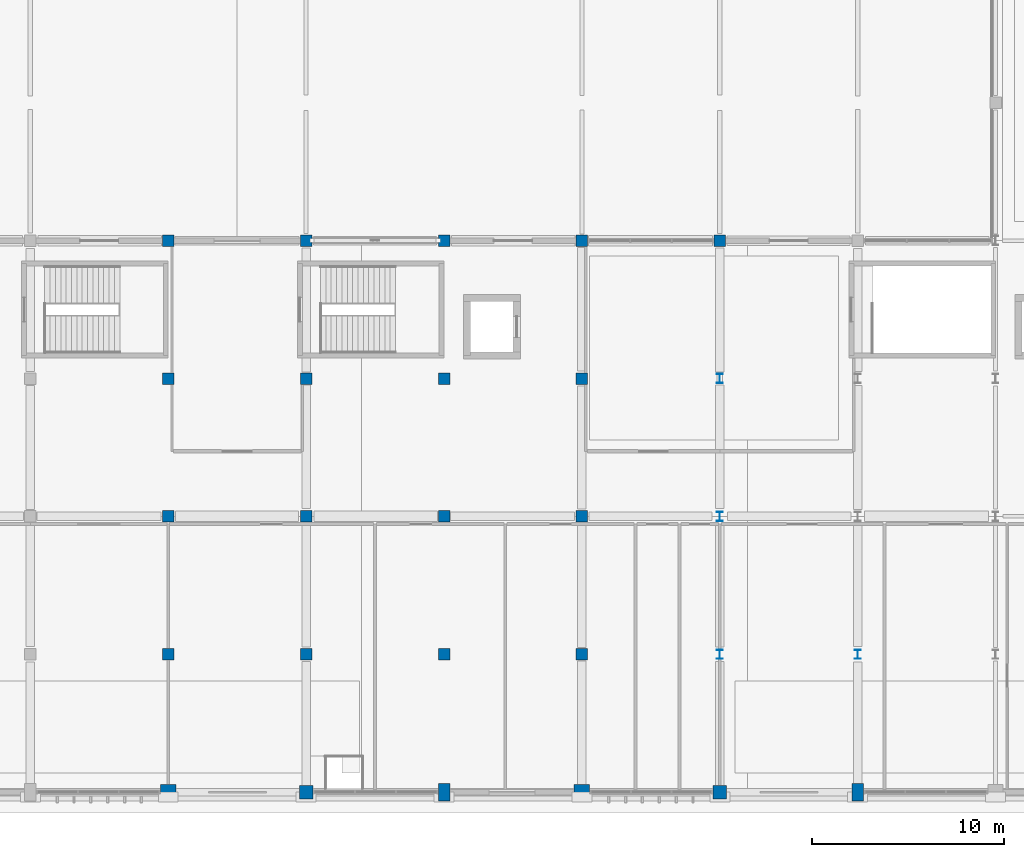
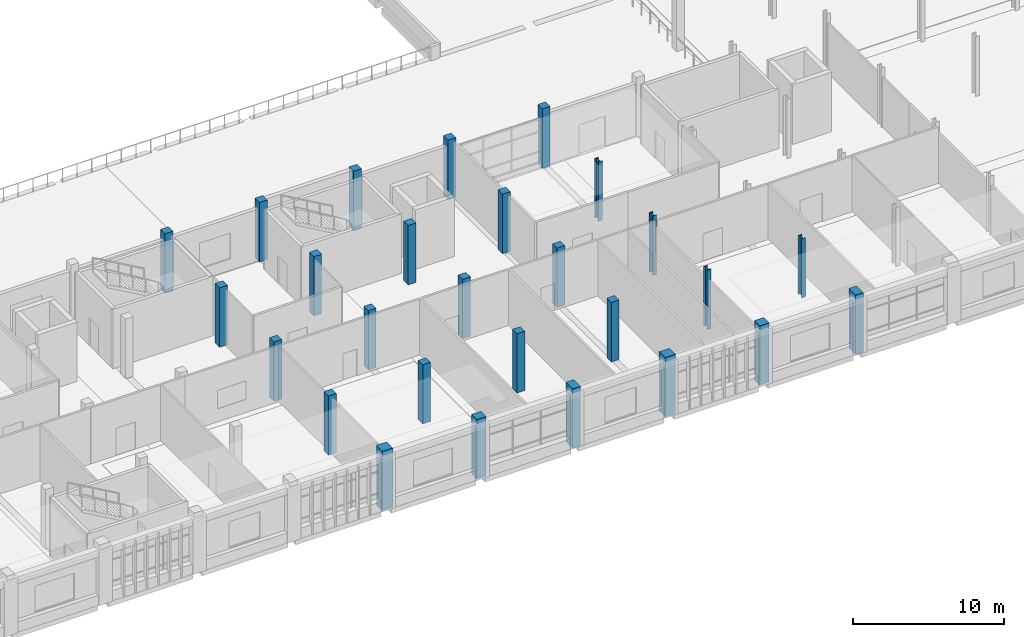
# One storey, part 4 of 82: 27 columns.
"""IFC4 building model written with IfcOpenShell, lengths in metres."""

from ifc_helpers import new_model, si_unit, direction, frame, origin, origin_2d, place, context, subcontext, project, spatial, rectangle, i_section, extrude, material, material_profile, profile_set, type_object, element, save


model = new_model("IFC4")

# Units and contexts
model_context = context("Model", 3, precision=1e-05, world=origin(), true_north=direction((0.0, 1.0)))
body_context = subcontext(model_context, "Body", "Model", "MODEL_VIEW")
ifc_project = project(units=[si_unit("LENGTHUNIT", "METRE"), si_unit("AREAUNIT", "SQUARE_METRE"), si_unit("VOLUMEUNIT", "CUBIC_METRE"), si_unit("PLANEANGLEUNIT", "RADIAN"), si_unit("MASSUNIT", "GRAM", prefix="KILO")], contexts=[model_context])

# Site, building, storey
site_placement = place(None, origin())
site = spatial("IfcSite", under=ifc_project, at=site_placement, CompositionType="ELEMENT")
building_placement = place(site_placement, origin())
building = spatial("IfcBuilding", under=site, at=building_placement, Name="Sardonyx Promenade Sports Hall", CompositionType="ELEMENT")
storey_placement = place(building_placement, frame((0.0, 0.0, 11.199951171875)))
storey = spatial("IfcBuildingStorey", under=building, at=storey_placement, Name="L02", CompositionType="ELEMENT", Elevation=11.199951171875)

# Columns
ifc_material_1 = material(Name="Concrete C40/50", Category="concrete")
ifc_material_profile_1 = material_profile(ifc_material_1, rectangle(XDim=0.60009765625, YDim=0.60009765625, at=origin_2d()))
ifc_profile_set_1 = profile_set([ifc_material_profile_1], Name="Concrete C40/50")
column_type_1 = type_object("IfcColumnType", Name="Col_Ext_RC600", PredefinedType="COLUMN", material=ifc_profile_set_1)
for number, where, z_axis, x_axis, name in (
    (1, (64.800048828125, 28.800048828125, 0.0), (0.0, 0.0, 1.0), (1.0, 0.0, 0.0), "Column CE11 L02 (64.8,28.8)"),
    (2, (72.0, 28.800048828125, 0.0), (0.0, 0.0, 1.0), (1.0, 0.0, 0.0), "Column CE11 L02 (72.0,28.8)"),
    (3, (79.199951171875, 28.800048828125, 0.0), (0.0, 0.0, 1.0), (1.0, 0.0, 0.0), "Column CE11 L02 (79.2,28.8)"),
    (4, (86.39990234375, 28.800048828125, 0.0), (0.0, 0.0, 1.0), (1.0, 0.0, 0.0), "Column CE11 L02 (86.4,28.8)"),
    (5, (93.60009765625, 28.800048828125, 0.0), (0.0, 0.0, 1.0), (1.0, 0.0, 0.0), "Column CE11 L02 (93.6,28.8)"),
):
    element("IfcColumn", number, at=place(storey_placement, frame(where, z_axis=z_axis, x_axis=x_axis)), inside=storey, type_object=column_type_1, Name=name, PredefinedType="COLUMN", context=body_context, shape_type="SweptSolid", body=[
        extrude(rectangle(XDim=0.60009765625, YDim=0.60009765625, at=origin_2d()), origin(), (0.0, 0.0, 1.0), 4.800048828125),
    ])
ifc_material_2 = material(Name="Concrete C40/50", Category="concrete")
ifc_material_profile_2 = material_profile(ifc_material_2, rectangle(XDim=0.60009765625, YDim=0.89990234375, at=origin_2d()))
ifc_profile_set_2 = profile_set([ifc_material_profile_2], Name="Concrete C40/50")
column_type_2 = type_object("IfcColumnType", Name="Col_Ext_RC600x900", PredefinedType="COLUMN", material=ifc_profile_set_2)
for number, where, z_axis, x_axis, name in (
    (6, (79.199951171875, 0.0, 0.0), (0.0, 0.0, 1.0), (1.0, 0.0, 0.0), "Column CE12 L02 (79.2,0.0)"),
    (7, (100.800048828125, 0.0, 0.0), (0.0, 0.0, 1.0), (1.0, 0.0, 0.0), "Column CE12 L02 (100.8,0.0)"),
):
    element("IfcColumn", number, at=place(storey_placement, frame(where, z_axis=z_axis, x_axis=x_axis)), inside=storey, type_object=column_type_2, Name=name, PredefinedType="COLUMN", context=body_context, shape_type="SweptSolid", body=[
        extrude(rectangle(XDim=0.60009765625, YDim=0.89990234375, at=origin_2d()), origin(), (0.0, 0.0, 1.0), 4.800048828125),
    ])
ifc_material_3 = material(Name="Concrete C40/50", Category="concrete")
ifc_material_profile_3 = material_profile(ifc_material_3, rectangle(XDim=0.699951171875, YDim=0.699951171875, at=origin_2d()))
ifc_profile_set_3 = profile_set([ifc_material_profile_3], Name="Concrete C40/50")
column_type_3 = type_object("IfcColumnType", Name="Col_Ext_RC700", PredefinedType="COLUMN", material=ifc_profile_set_3)
for number, where, z_axis, x_axis, name in (
    (8, (72.0, 0.0, 0.0), (0.0, 0.0, 1.0), (1.0, 0.0, 0.0), "Column CE05 L02 (72.0,0.0)"),
    (9, (93.60009765625, 0.0, 0.0), (0.0, 0.0, 1.0), (1.0, 0.0, 0.0), "Column CE05 L02 (93.6,0.0)"),
):
    element("IfcColumn", number, at=place(storey_placement, frame(where, z_axis=z_axis, x_axis=x_axis)), inside=storey, type_object=column_type_3, Name=name, PredefinedType="COLUMN", context=body_context, shape_type="SweptSolid", body=[
        extrude(rectangle(XDim=0.699951171875, YDim=0.699951171875, at=origin_2d()), origin(), (0.0, 0.0, 1.0), 4.800048828125),
    ])
ifc_material_4 = material(Name="Concrete C50/60", Category="concrete")
ifc_material_profile_4 = material_profile(ifc_material_4, rectangle(XDim=0.800048828125, YDim=0.800048828125, at=origin_2d()))
ifc_profile_set_4 = profile_set([ifc_material_profile_4], Name="Concrete C50/60")
column_type_4 = type_object("IfcColumnType", Name="Col_Ext_RC800", PredefinedType="COLUMN", material=ifc_profile_set_4)
for number, where, z_axis, x_axis, name in (
    (10, (64.800048828125, 0.0, 0.0), (0.0, 0.0, 1.0), (1.0, 0.0, 0.0), "Column CE13 L02 (64.8,0.0)"),
    (11, (86.39990234375, 0.0, 0.0), (0.0, 0.0, 1.0), (1.0, 0.0, 0.0), "Column CE13 L02 (86.4,0.0)"),
):
    element("IfcColumn", number, at=place(storey_placement, frame(where, z_axis=z_axis, x_axis=x_axis)), inside=storey, type_object=column_type_4, Name=name, PredefinedType="COLUMN", context=body_context, shape_type="SweptSolid", body=[
        extrude(rectangle(XDim=0.800048828125, YDim=0.800048828125, at=origin_2d()), origin(), (0.0, 0.0, 1.0), 4.800048828125),
    ])
ifc_material_5 = material(Name="Steel S355JR", Category="steel")
ifc_material_profile_5 = material_profile(ifc_material_5, i_section(OverallWidth=0.300048828125, OverallDepth=0.489990234375, WebThickness=0.011962890625, FlangeThickness=0.02294921875, at=origin_2d()))
ifc_profile_set_5 = profile_set([ifc_material_profile_5], Name="Steel S355JR")
column_type_5 = type_object("IfcColumnType", Name="Col_Int_HEA500", PredefinedType="COLUMN", material=ifc_profile_set_5)
for number, where, z_axis, x_axis, name in (
    (12, (93.60009765625, 7.199951171875, 0.0), (0.0, 0.0, 1.0), (1.0, 0.0, 0.0), "Column CI08 L02 (93.6,7.2)"),
    (13, (93.60009765625, 14.39990234375, 0.0), (0.0, 0.0, 1.0), (1.0, 0.0, 0.0), "Column CI08 L02 (93.6,14.4)"),
    (14, (93.60009765625, 21.60009765625, 0.0), (0.0, 0.0, 1.0), (1.0, 0.0, 0.0), "Column CI08 L02 (93.6,21.6)"),
    (15, (100.800048828125, 7.199951171875, 0.0), (0.0, 0.0, 1.0), (1.0, 0.0, 0.0), "Column CI08 L02 (100.8,7.2)"),
):
    element("IfcColumn", number, at=place(storey_placement, frame(where, z_axis=z_axis, x_axis=x_axis)), inside=storey, type_object=column_type_5, Name=name, PredefinedType="COLUMN", context=body_context, shape_type="SweptSolid", body=[
        extrude(i_section(OverallWidth=0.300048828125, OverallDepth=0.489990234375, WebThickness=0.011962890625, FlangeThickness=0.02294921875, at=origin_2d()), origin(), (0.0, 0.0, 1.0), 4.800048828125),
    ])
ifc_material_6 = material(Name="Concrete C40/50", Category="concrete")
ifc_material_profile_6 = material_profile(ifc_material_6, rectangle(XDim=0.60009765625, YDim=0.60009765625, at=origin_2d()))
ifc_profile_set_6 = profile_set([ifc_material_profile_6], Name="Concrete C40/50")
column_type_6 = type_object("IfcColumnType", Name="Col_Int_RC600", PredefinedType="COLUMN", material=ifc_profile_set_6)
for number, where, z_axis, x_axis, name in (
    (16, (64.800048828125, 7.199951171875, 0.0), (0.0, 0.0, 1.0), (1.0, 0.0, 0.0), "Column CI02 L02 (64.8,7.2)"),
    (17, (64.800048828125, 14.39990234375, 0.0), (0.0, 0.0, 1.0), (1.0, 0.0, 0.0), "Column CI02 L02 (64.8,14.4)"),
    (18, (64.800048828125, 21.60009765625, 0.0), (0.0, 0.0, 1.0), (1.0, 0.0, 0.0), "Column CI02 L02 (64.8,21.6)"),
    (19, (72.0, 7.199951171875, 0.0), (0.0, 0.0, 1.0), (1.0, 0.0, 0.0), "Column CI02 L02 (72.0,7.2)"),
    (20, (72.0, 14.39990234375, 0.0), (0.0, 0.0, 1.0), (1.0, 0.0, 0.0), "Column CI02 L02 (72.0,14.4)"),
    (21, (72.0, 21.60009765625, 0.0), (0.0, 0.0, 1.0), (1.0, 0.0, 0.0), "Column CI02 L02 (72.0,21.6)"),
    (22, (79.199951171875, 7.199951171875, 0.0), (0.0, 0.0, 1.0), (1.0, 0.0, 0.0), "Column CI02 L02 (79.2,7.2)"),
    (23, (79.199951171875, 14.39990234375, 0.0), (0.0, 0.0, 1.0), (1.0, 0.0, 0.0), "Column CI02 L02 (79.2,14.4)"),
    (24, (79.199951171875, 21.60009765625, 0.0), (0.0, 0.0, 1.0), (1.0, 0.0, 0.0), "Column CI02 L02 (79.2,21.6)"),
    (25, (86.39990234375, 7.199951171875, 0.0), (0.0, 0.0, 1.0), (1.0, 0.0, 0.0), "Column CI02 L02 (86.4,7.2)"),
    (26, (86.39990234375, 14.39990234375, 0.0), (0.0, 0.0, 1.0), (1.0, 0.0, 0.0), "Column CI02 L02 (86.4,14.4)"),
    (27, (86.39990234375, 21.60009765625, 0.0), (0.0, 0.0, 1.0), (1.0, 0.0, 0.0), "Column CI02 L02 (86.4,21.6)"),
):
    element("IfcColumn", number, at=place(storey_placement, frame(where, z_axis=z_axis, x_axis=x_axis)), inside=storey, type_object=column_type_6, Name=name, PredefinedType="COLUMN", context=body_context, shape_type="SweptSolid", body=[
        extrude(rectangle(XDim=0.60009765625, YDim=0.60009765625, at=origin_2d()), origin(), (0.0, 0.0, 1.0), 4.800048828125),
    ])

save(model, "model.ifc")
